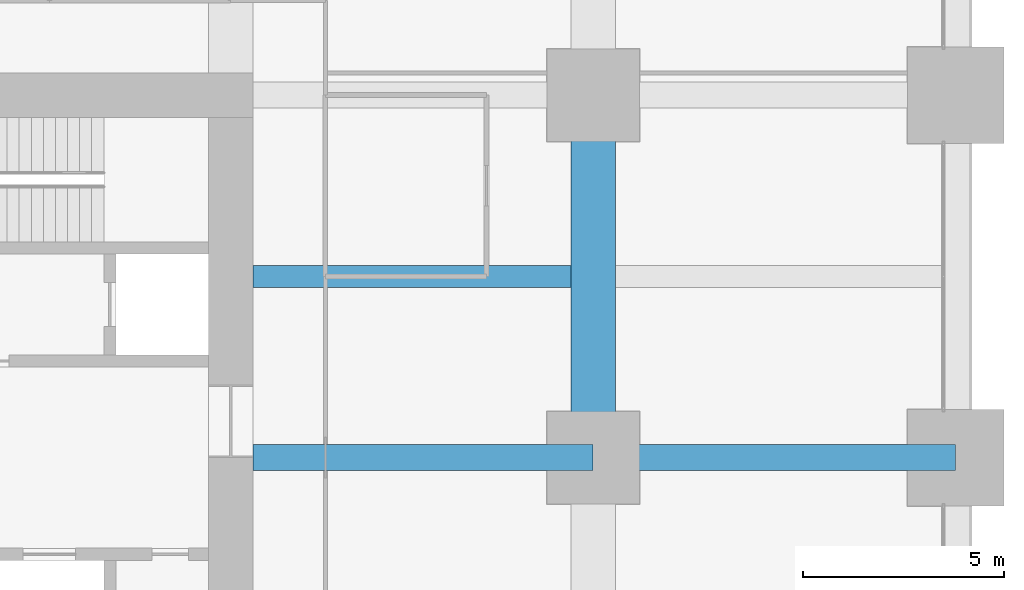
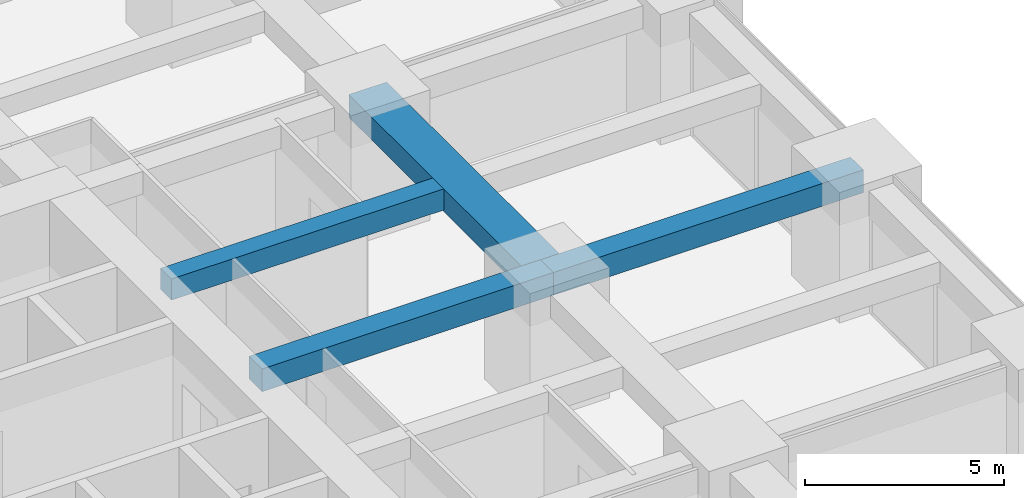
# One storey, part 21 of 44: 4 beams.
"""IFC4 building model written with IfcOpenShell, lengths in metres."""

from ifc_helpers import new_model, si_unit, direction, frame, origin, origin_2d, place, context, subcontext, project, spatial, rectangle, extrude, material, material_profile, profile_set, type_object, element, save


model = new_model("IFC4")

# Units and contexts
model_context = context("Model", 3, precision=1e-05, world=origin(), true_north=direction((0.0, 1.0)))
body_context = subcontext(model_context, "Body", "Model", "MODEL_VIEW")
ifc_project = project(units=[si_unit("LENGTHUNIT", "METRE"), si_unit("AREAUNIT", "SQUARE_METRE"), si_unit("VOLUMEUNIT", "CUBIC_METRE"), si_unit("PLANEANGLEUNIT", "RADIAN"), si_unit("MASSUNIT", "GRAM", prefix="KILO")], contexts=[model_context])

# Site, building, storey
site_placement = place(None, origin())
site = spatial("IfcSite", under=ifc_project, at=site_placement, CompositionType="ELEMENT")
building_placement = place(site_placement, origin())
building = spatial("IfcBuilding", under=site, at=building_placement, Name="Zorevar Civic Tower", CompositionType="ELEMENT")
storey_placement = place(building_placement, frame((0.0, 0.0, 43.800048828125)))
storey = spatial("IfcBuildingStorey", under=building, at=storey_placement, Name="L10", CompositionType="ELEMENT", Elevation=43.800048828125)

# Beams
ifc_material_1 = material(Name="Concrete C50/60", Category="concrete")
ifc_material_profile_1 = material_profile(ifc_material_1, rectangle(XDim=1.10009765625, YDim=0.699951171875, at=origin_2d()), Name="RC 1100x700")
ifc_profile_set_1 = profile_set([ifc_material_profile_1], Name="Concrete C50/60")
beam_type_1 = type_object("IfcBeamType", Name="Beam RC 1100x700", PredefinedType="BEAM", material=ifc_profile_set_1)
beam_1_placement = place(storey_placement, frame((54.0, 27.0, 3.39990234375), z_axis=(0.0, 1.0, 0.0), x_axis=(-1.0, 0.0, 0.0)))
element("IfcBeam", 1, at=beam_1_placement, inside=storey, type_object=beam_type_1, Name="Girder L11", PredefinedType="BEAM", context=body_context, shape_type="SweptSolid", body=[
    extrude(rectangle(XDim=1.10009765625, YDim=0.699951171875, at=origin_2d()), origin(), (0.0, 0.0, 1.0), 9.0),
])
ifc_material_2 = material(Name="Concrete C50/60", Category="concrete")
ifc_material_profile_2 = material_profile(ifc_material_2, rectangle(XDim=0.550048828125, YDim=0.64990234375, at=origin_2d()), Name="RC 550x650")
ifc_profile_set_2 = profile_set([ifc_material_profile_2], Name="Concrete C50/60")
beam_type_2 = type_object("IfcBeamType", Name="Beam RC 550x650", PredefinedType="BEAM", material=ifc_profile_set_2)
beam_2_placement = place(storey_placement, frame((45.550048828125, 31.5, 3.425048828125), z_axis=(1.0, 0.0, 0.0), x_axis=(0.0, 1.0, 0.0)))
element("IfcBeam", 2, at=beam_2_placement, inside=storey, type_object=beam_type_2, Name="Secondary beam L11", PredefinedType="BEAM", context=body_context, shape_type="SweptSolid", body=[
    extrude(rectangle(XDim=0.550048828125, YDim=0.64990234375, at=origin_2d()), origin(), (0.0, 0.0, 1.0), 7.89990234375),
])
ifc_material_3 = material(Name="Concrete C50/60", Category="concrete")
ifc_material_profile_3 = material_profile(ifc_material_3, rectangle(XDim=0.64990234375, YDim=0.699951171875, at=origin_2d()), Name="RC 650x700")
ifc_profile_set_3 = profile_set([ifc_material_profile_3], Name="Concrete C50/60")
beam_type_3 = type_object("IfcBeamType", Name="Beam RC 650x700", PredefinedType="BEAM", material=ifc_profile_set_3)
beam_3_placement = place(storey_placement, frame((45.550048828125, 27.0, 3.39990234375), z_axis=(1.0, 0.0, 0.0), x_axis=(0.0, 1.0, 0.0)))
element("IfcBeam", 3, at=beam_3_placement, inside=storey, type_object=beam_type_3, Name="Girder L11", PredefinedType="BEAM", context=body_context, shape_type="SweptSolid", body=[
    extrude(rectangle(XDim=0.64990234375, YDim=0.699951171875, at=origin_2d()), origin(), (0.0, 0.0, 1.0), 8.449951171875),
])
beam_4_placement = place(storey_placement, frame((54.0, 27.0, 3.39990234375), z_axis=(1.0, 0.0, 0.0), x_axis=(0.0, 1.0, 0.0)))
element("IfcBeam", 4, at=beam_4_placement, inside=storey, type_object=beam_type_3, Name="Girder L11", PredefinedType="BEAM", context=body_context, shape_type="SweptSolid", body=[
    extrude(rectangle(XDim=0.64990234375, YDim=0.699951171875, at=origin_2d()), origin(), (0.0, 0.0, 1.0), 9.0),
])

save(model, "model.ifc")
